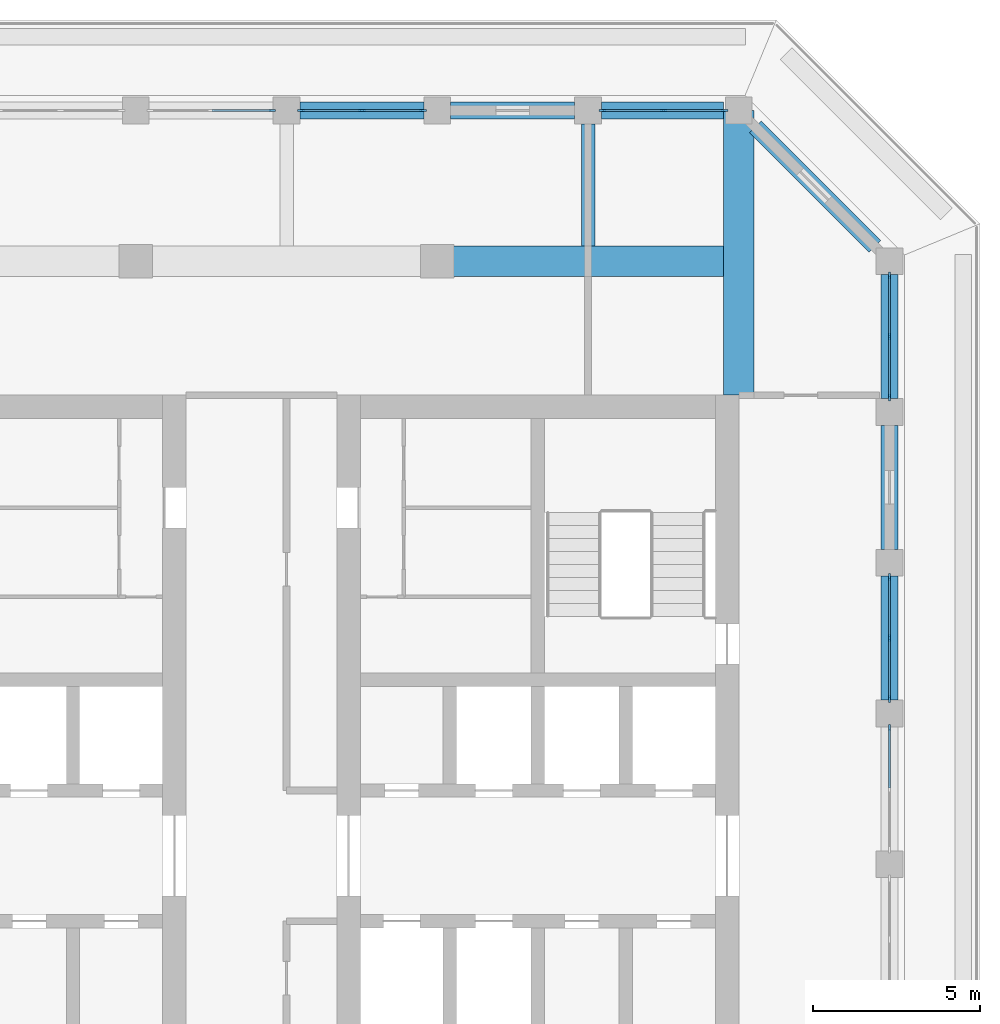
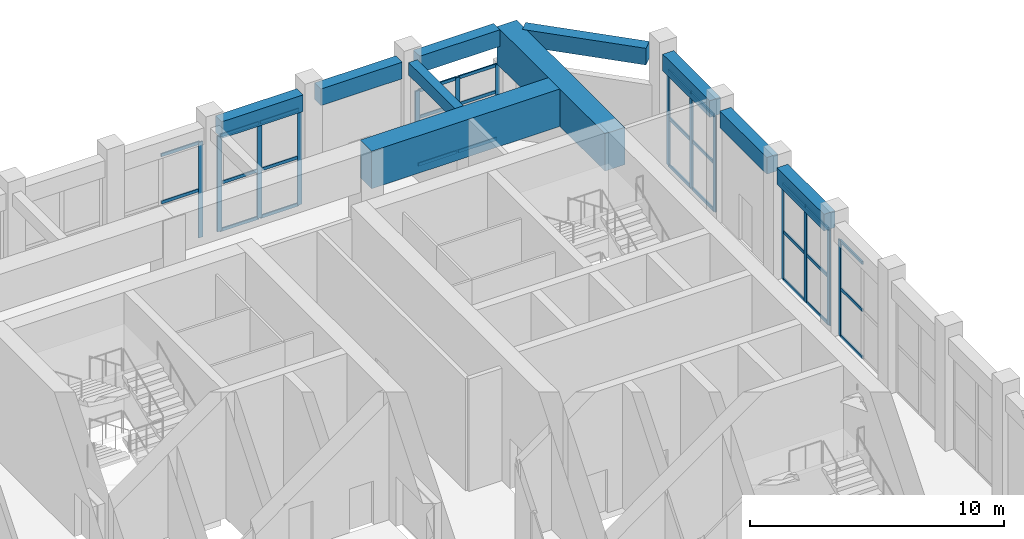
# One storey, part 6 of 20: 43 members, 10 beams, 6 elements without a shape of their own.
"""IFC4 building model written with IfcOpenShell, lengths in metres."""

from ifc_helpers import new_model, si_unit, direction, frame, origin, origin_2d, place, context, subcontext, project, spatial, rectangle, extrude, material, material_profile, profile_set, type_object, element, aggregate, save


model = new_model("IFC4")

# Units and contexts
model_context = context("Model", 3, precision=1e-05, world=origin(), true_north=direction((0.0, 1.0)))
body_context = subcontext(model_context, "Body", "Model", "MODEL_VIEW")
ifc_project = project(units=[si_unit("LENGTHUNIT", "METRE"), si_unit("AREAUNIT", "SQUARE_METRE"), si_unit("VOLUMEUNIT", "CUBIC_METRE"), si_unit("PLANEANGLEUNIT", "RADIAN"), si_unit("MASSUNIT", "GRAM", prefix="KILO")], contexts=[model_context])

# Site, building, storey
site_placement = place(None, origin())
site = spatial("IfcSite", under=ifc_project, at=site_placement, CompositionType="ELEMENT")
building_placement = place(site_placement, origin())
building = spatial("IfcBuilding", under=site, at=building_placement, Name="Corbel Stack Research Tower", CompositionType="ELEMENT")
storey_placement = place(building_placement, frame((0.0, 0.0, 295.0)))
storey = spatial("IfcBuildingStorey", under=building, at=storey_placement, Name="L67", CompositionType="ELEMENT", Elevation=295.0)

# Curtain wall, member
ifc_material_1 = material(Name="Aluminium frame, clear glass", Category="aluminium")
curtain_wall_type = type_object("IfcCurtainWallType", Name="Upper amenity floor curtain wall CW3", PredefinedType="NOTDEFINED", material=ifc_material_1)
curtain_wall_1_placement = place(storey_placement, origin())
curtain_wall_1 = element("IfcCurtainWall", 1, at=curtain_wall_1_placement, inside=storey, type_object=curtain_wall_type, Name="Curtain wall CW3 L67 E05", PredefinedType="NOTDEFINED")
ifc_material_2 = material(Name="Aluminium mullion", Category="aluminium")
ifc_material_profile_1 = material_profile(ifc_material_2, rectangle(XDim=0.06005859375, YDim=0.199951171875, at=origin_2d()), Name="Mullion 60 x 200")
ifc_profile_set_1 = profile_set([ifc_material_profile_1], Name="Aluminium mullion")
member_type_1 = type_object("IfcMemberType", Name="Curtain wall mullion 60 x 200", PredefinedType="MULLION", material=ifc_profile_set_1)
member_1_placement = place(storey_placement, frame((22.5, 8.570068359375, 0.0), z_axis=(0.0, 0.0, 1.0), x_axis=(-1.0, 0.0, 0.0)))
member_1 = element("IfcMember", 2, at=member_1_placement, type_object=member_type_1, Name="CW3 mullion 3", PredefinedType="MULLION", context=body_context, shape_type="SweptSolid", body=[
    extrude(rectangle(XDim=0.06005859375, YDim=0.199951171875, at=origin_2d()), origin(), (0.0, 0.0, 1.0), 4.60009765625),
])

# Curtain wall, members
curtain_wall_2_placement = place(storey_placement, origin())
curtain_wall_2 = element("IfcCurtainWall", 3, at=curtain_wall_2_placement, inside=storey, type_object=curtain_wall_type, Name="Curtain wall CW3 L67 E06", PredefinedType="NOTDEFINED")
member_2_placement = place(storey_placement, frame((22.5, 9.429931640625, 0.0), z_axis=(0.0, 0.0, 1.0), x_axis=(-1.0, 0.0, 0.0)))
member_2 = element("IfcMember", 4, at=member_2_placement, type_object=member_type_1, Name="CW3 mullion 1", PredefinedType="MULLION", context=body_context, shape_type="SweptSolid", body=[
    extrude(rectangle(XDim=0.06005859375, YDim=0.199951171875, at=origin_2d()), origin(), (0.0, 0.0, 1.0), 4.60009765625),
])
member_3_placement = place(storey_placement, frame((22.5, 11.25, 0.0), z_axis=(0.0, 0.0, 1.0), x_axis=(-1.0, 0.0, 0.0)))
member_3 = element("IfcMember", 5, at=member_3_placement, type_object=member_type_1, Name="CW3 mullion 2", PredefinedType="MULLION", context=body_context, shape_type="SweptSolid", body=[
    extrude(rectangle(XDim=0.06005859375, YDim=0.199951171875, at=origin_2d()), origin(), (0.0, 0.0, 1.0), 4.60009765625),
])
member_4_placement = place(storey_placement, frame((22.5, 13.070068359375, 0.0), z_axis=(0.0, 0.0, 1.0), x_axis=(-1.0, 0.0, 0.0)))
member_4 = element("IfcMember", 6, at=member_4_placement, type_object=member_type_1, Name="CW3 mullion 3", PredefinedType="MULLION", context=body_context, shape_type="SweptSolid", body=[
    extrude(rectangle(XDim=0.06005859375, YDim=0.199951171875, at=origin_2d()), origin(), (0.0, 0.0, 1.0), 4.60009765625),
])

curtain_wall_3_placement = place(storey_placement, origin())
curtain_wall_3 = element("IfcCurtainWall", 7, at=curtain_wall_3_placement, inside=storey, type_object=curtain_wall_type, Name="Curtain wall CW3 L67 E08", PredefinedType="NOTDEFINED")
member_5_placement = place(storey_placement, frame((22.5, 18.429931640625, 0.0), z_axis=(0.0, 0.0, 1.0), x_axis=(-1.0, 0.0, 0.0)))
member_5 = element("IfcMember", 8, at=member_5_placement, type_object=member_type_1, Name="CW3 mullion 1", PredefinedType="MULLION", context=body_context, shape_type="SweptSolid", body=[
    extrude(rectangle(XDim=0.06005859375, YDim=0.199951171875, at=origin_2d()), origin(), (0.0, 0.0, 1.0), 4.60009765625),
])
member_6_placement = place(storey_placement, frame((22.5, 20.25, 0.0), z_axis=(0.0, 0.0, 1.0), x_axis=(-1.0, 0.0, 0.0)))
member_6 = element("IfcMember", 9, at=member_6_placement, type_object=member_type_1, Name="CW3 mullion 2", PredefinedType="MULLION", context=body_context, shape_type="SweptSolid", body=[
    extrude(rectangle(XDim=0.06005859375, YDim=0.199951171875, at=origin_2d()), origin(), (0.0, 0.0, 1.0), 4.60009765625),
])
member_7_placement = place(storey_placement, frame((22.5, 22.070068359375, 0.0), z_axis=(0.0, 0.0, 1.0), x_axis=(-1.0, 0.0, 0.0)))
member_7 = element("IfcMember", 10, at=member_7_placement, type_object=member_type_1, Name="CW3 mullion 3", PredefinedType="MULLION", context=body_context, shape_type="SweptSolid", body=[
    extrude(rectangle(XDim=0.06005859375, YDim=0.199951171875, at=origin_2d()), origin(), (0.0, 0.0, 1.0), 4.60009765625),
])

curtain_wall_4_placement = place(storey_placement, origin())
curtain_wall_4 = element("IfcCurtainWall", 11, at=curtain_wall_4_placement, inside=storey, type_object=curtain_wall_type, Name="Curtain wall CW3 L67 N01", PredefinedType="NOTDEFINED")
member_8_placement = place(storey_placement, frame((17.570068359375, 27.0, 0.0), z_axis=(0.0, 0.0, 1.0), x_axis=(0.0, -1.0, 0.0)))
member_8 = element("IfcMember", 12, at=member_8_placement, type_object=member_type_1, Name="CW3 mullion 1", PredefinedType="MULLION", context=body_context, shape_type="SweptSolid", body=[
    extrude(rectangle(XDim=0.06005859375, YDim=0.199951171875, at=origin_2d()), origin(), (0.0, 0.0, 1.0), 3.60009765625),
])
member_9_placement = place(storey_placement, frame((15.75, 27.0, 0.0), z_axis=(0.0, 0.0, 1.0), x_axis=(0.0, -1.0, 0.0)))
member_9 = element("IfcMember", 13, at=member_9_placement, type_object=member_type_1, Name="CW3 mullion 2", PredefinedType="MULLION", context=body_context, shape_type="SweptSolid", body=[
    extrude(rectangle(XDim=0.06005859375, YDim=0.199951171875, at=origin_2d()), origin(), (0.0, 0.0, 1.0), 3.60009765625),
])
member_10_placement = place(storey_placement, frame((13.929931640625, 27.0, 0.0), z_axis=(0.0, 0.0, 1.0), x_axis=(0.0, -1.0, 0.0)))
member_10 = element("IfcMember", 14, at=member_10_placement, type_object=member_type_1, Name="CW3 mullion 3", PredefinedType="MULLION", context=body_context, shape_type="SweptSolid", body=[
    extrude(rectangle(XDim=0.06005859375, YDim=0.199951171875, at=origin_2d()), origin(), (0.0, 0.0, 1.0), 3.60009765625),
])

curtain_wall_5_placement = place(storey_placement, origin())
curtain_wall_5 = element("IfcCurtainWall", 15, at=curtain_wall_5_placement, inside=storey, type_object=curtain_wall_type, Name="Curtain wall CW3 L67 N03", PredefinedType="NOTDEFINED")
member_11_placement = place(storey_placement, frame((8.570068359375, 27.0, 0.0), z_axis=(0.0, 0.0, 1.0), x_axis=(0.0, -1.0, 0.0)))
member_11 = element("IfcMember", 16, at=member_11_placement, type_object=member_type_1, Name="CW3 mullion 1", PredefinedType="MULLION", context=body_context, shape_type="SweptSolid", body=[
    extrude(rectangle(XDim=0.06005859375, YDim=0.199951171875, at=origin_2d()), origin(), (0.0, 0.0, 1.0), 4.60009765625),
])
member_12_placement = place(storey_placement, frame((6.75, 27.0, 0.0), z_axis=(0.0, 0.0, 1.0), x_axis=(0.0, -1.0, 0.0)))
member_12 = element("IfcMember", 17, at=member_12_placement, type_object=member_type_1, Name="CW3 mullion 2", PredefinedType="MULLION", context=body_context, shape_type="SweptSolid", body=[
    extrude(rectangle(XDim=0.06005859375, YDim=0.199951171875, at=origin_2d()), origin(), (0.0, 0.0, 1.0), 4.60009765625),
])
member_13_placement = place(storey_placement, frame((4.929931640625, 27.0, 0.0), z_axis=(0.0, 0.0, 1.0), x_axis=(0.0, -1.0, 0.0)))
member_13 = element("IfcMember", 18, at=member_13_placement, type_object=member_type_1, Name="CW3 mullion 3", PredefinedType="MULLION", context=body_context, shape_type="SweptSolid", body=[
    extrude(rectangle(XDim=0.06005859375, YDim=0.199951171875, at=origin_2d()), origin(), (0.0, 0.0, 1.0), 4.60009765625),
])

# Curtain wall, member
curtain_wall_6_placement = place(storey_placement, origin())
curtain_wall_6 = element("IfcCurtainWall", 19, at=curtain_wall_6_placement, inside=storey, type_object=curtain_wall_type, Name="Curtain wall CW3 L67 N04", PredefinedType="NOTDEFINED")
member_14_placement = place(storey_placement, frame((4.070068359375, 27.0, 0.0), z_axis=(0.0, 0.0, 1.0), x_axis=(0.0, -1.0, 0.0)))
member_14 = element("IfcMember", 20, at=member_14_placement, type_object=member_type_1, Name="CW3 mullion 1", PredefinedType="MULLION", context=body_context, shape_type="SweptSolid", body=[
    extrude(rectangle(XDim=0.06005859375, YDim=0.199951171875, at=origin_2d()), origin(), (0.0, 0.0, 1.0), 4.60009765625),
])

# Member
ifc_material_3 = material(Name="Aluminium transom", Category="aluminium")
ifc_material_profile_2 = material_profile(ifc_material_3, rectangle(XDim=0.06005859375, YDim=0.14990234375, at=origin_2d()), Name="Transom 60 x 150")
ifc_profile_set_2 = profile_set([ifc_material_profile_2], Name="Aluminium transom")
member_type_2 = type_object("IfcMemberType", Name="Curtain wall transom 60 x 150", PredefinedType="USERDEFINED", material=ifc_profile_set_2)
member_15_placement = place(storey_placement, frame((22.5, 6.780029296875, 0.030029296875), z_axis=(0.0, 1.0, 0.0), x_axis=(-1.0, 0.0, 0.0)))
member_15 = element("IfcMember", 21, at=member_15_placement, type_object=member_type_2, Name="CW3 transom 2.1", ObjectType="TRANSOM", PredefinedType="USERDEFINED", context=body_context, shape_type="SweptSolid", body=[
    extrude(rectangle(XDim=0.06005859375, YDim=0.14990234375, at=origin_2d()), origin(), (0.0, 0.0, 1.0), 1.760009765625),
])

member_16_placement = place(storey_placement, frame((22.5, 6.780029296875, 2.300048828125), z_axis=(0.0, 1.0, 0.0), x_axis=(-1.0, 0.0, 0.0)))
member_16 = element("IfcMember", 22, at=member_16_placement, type_object=member_type_2, Name="CW3 transom 2.2", ObjectType="TRANSOM", PredefinedType="USERDEFINED", context=body_context, shape_type="SweptSolid", body=[
    extrude(rectangle(XDim=0.06005859375, YDim=0.14990234375, at=origin_2d()), origin(), (0.0, 0.0, 1.0), 1.760009765625),
])

member_17_placement = place(storey_placement, frame((22.5, 6.780029296875, 4.570068359375), z_axis=(0.0, 1.0, 0.0), x_axis=(-1.0, 0.0, 0.0)))
member_17 = element("IfcMember", 23, at=member_17_placement, type_object=member_type_2, Name="CW3 transom 2.3", ObjectType="TRANSOM", PredefinedType="USERDEFINED", context=body_context, shape_type="SweptSolid", body=[
    extrude(rectangle(XDim=0.06005859375, YDim=0.14990234375, at=origin_2d()), origin(), (0.0, 0.0, 1.0), 1.760009765625),
])

aggregate(curtain_wall_1, [member_1, member_15, member_16, member_17])

member_18_placement = place(storey_placement, frame((22.5, 9.4599609375, 0.030029296875), z_axis=(0.0, 1.0, 0.0), x_axis=(-1.0, 0.0, 0.0)))
member_18 = element("IfcMember", 24, at=member_18_placement, type_object=member_type_2, Name="CW3 transom 1.1", ObjectType="TRANSOM", PredefinedType="USERDEFINED", context=body_context, shape_type="SweptSolid", body=[
    extrude(rectangle(XDim=0.06005859375, YDim=0.14990234375, at=origin_2d()), origin(), (0.0, 0.0, 1.0), 1.760009765625),
])

member_19_placement = place(storey_placement, frame((22.5, 9.4599609375, 2.300048828125), z_axis=(0.0, 1.0, 0.0), x_axis=(-1.0, 0.0, 0.0)))
member_19 = element("IfcMember", 25, at=member_19_placement, type_object=member_type_2, Name="CW3 transom 1.2", ObjectType="TRANSOM", PredefinedType="USERDEFINED", context=body_context, shape_type="SweptSolid", body=[
    extrude(rectangle(XDim=0.06005859375, YDim=0.14990234375, at=origin_2d()), origin(), (0.0, 0.0, 1.0), 1.760009765625),
])

member_20_placement = place(storey_placement, frame((22.5, 9.4599609375, 4.570068359375), z_axis=(0.0, 1.0, 0.0), x_axis=(-1.0, 0.0, 0.0)))
member_20 = element("IfcMember", 26, at=member_20_placement, type_object=member_type_2, Name="CW3 transom 1.3", ObjectType="TRANSOM", PredefinedType="USERDEFINED", context=body_context, shape_type="SweptSolid", body=[
    extrude(rectangle(XDim=0.06005859375, YDim=0.14990234375, at=origin_2d()), origin(), (0.0, 0.0, 1.0), 1.760009765625),
])

member_21_placement = place(storey_placement, frame((22.5, 11.280029296875, 0.030029296875), z_axis=(0.0, 1.0, 0.0), x_axis=(-1.0, 0.0, 0.0)))
member_21 = element("IfcMember", 27, at=member_21_placement, type_object=member_type_2, Name="CW3 transom 2.1", ObjectType="TRANSOM", PredefinedType="USERDEFINED", context=body_context, shape_type="SweptSolid", body=[
    extrude(rectangle(XDim=0.06005859375, YDim=0.14990234375, at=origin_2d()), origin(), (0.0, 0.0, 1.0), 1.760009765625),
])

member_22_placement = place(storey_placement, frame((22.5, 11.280029296875, 2.300048828125), z_axis=(0.0, 1.0, 0.0), x_axis=(-1.0, 0.0, 0.0)))
member_22 = element("IfcMember", 28, at=member_22_placement, type_object=member_type_2, Name="CW3 transom 2.2", ObjectType="TRANSOM", PredefinedType="USERDEFINED", context=body_context, shape_type="SweptSolid", body=[
    extrude(rectangle(XDim=0.06005859375, YDim=0.14990234375, at=origin_2d()), origin(), (0.0, 0.0, 1.0), 1.760009765625),
])

member_23_placement = place(storey_placement, frame((22.5, 11.280029296875, 4.570068359375), z_axis=(0.0, 1.0, 0.0), x_axis=(-1.0, 0.0, 0.0)))
member_23 = element("IfcMember", 29, at=member_23_placement, type_object=member_type_2, Name="CW3 transom 2.3", ObjectType="TRANSOM", PredefinedType="USERDEFINED", context=body_context, shape_type="SweptSolid", body=[
    extrude(rectangle(XDim=0.06005859375, YDim=0.14990234375, at=origin_2d()), origin(), (0.0, 0.0, 1.0), 1.760009765625),
])

aggregate(curtain_wall_2, [member_2, member_3, member_4, member_18, member_19, member_20, member_21, member_22, member_23])

member_24_placement = place(storey_placement, frame((22.5, 18.4599609375, 0.030029296875), z_axis=(0.0, 1.0, 0.0), x_axis=(-1.0, 0.0, 0.0)))
member_24 = element("IfcMember", 30, at=member_24_placement, type_object=member_type_2, Name="CW3 transom 1.1", ObjectType="TRANSOM", PredefinedType="USERDEFINED", context=body_context, shape_type="SweptSolid", body=[
    extrude(rectangle(XDim=0.06005859375, YDim=0.14990234375, at=origin_2d()), origin(), (0.0, 0.0, 1.0), 1.760009765625),
])

member_25_placement = place(storey_placement, frame((22.5, 18.4599609375, 2.300048828125), z_axis=(0.0, 1.0, 0.0), x_axis=(-1.0, 0.0, 0.0)))
member_25 = element("IfcMember", 31, at=member_25_placement, type_object=member_type_2, Name="CW3 transom 1.2", ObjectType="TRANSOM", PredefinedType="USERDEFINED", context=body_context, shape_type="SweptSolid", body=[
    extrude(rectangle(XDim=0.06005859375, YDim=0.14990234375, at=origin_2d()), origin(), (0.0, 0.0, 1.0), 1.760009765625),
])

member_26_placement = place(storey_placement, frame((22.5, 18.4599609375, 4.570068359375), z_axis=(0.0, 1.0, 0.0), x_axis=(-1.0, 0.0, 0.0)))
member_26 = element("IfcMember", 32, at=member_26_placement, type_object=member_type_2, Name="CW3 transom 1.3", ObjectType="TRANSOM", PredefinedType="USERDEFINED", context=body_context, shape_type="SweptSolid", body=[
    extrude(rectangle(XDim=0.06005859375, YDim=0.14990234375, at=origin_2d()), origin(), (0.0, 0.0, 1.0), 1.760009765625),
])

member_27_placement = place(storey_placement, frame((22.5, 20.280029296875, 0.030029296875), z_axis=(0.0, 1.0, 0.0), x_axis=(-1.0, 0.0, 0.0)))
member_27 = element("IfcMember", 33, at=member_27_placement, type_object=member_type_2, Name="CW3 transom 2.1", ObjectType="TRANSOM", PredefinedType="USERDEFINED", context=body_context, shape_type="SweptSolid", body=[
    extrude(rectangle(XDim=0.06005859375, YDim=0.14990234375, at=origin_2d()), origin(), (0.0, 0.0, 1.0), 1.760009765625),
])

member_28_placement = place(storey_placement, frame((22.5, 20.280029296875, 2.300048828125), z_axis=(0.0, 1.0, 0.0), x_axis=(-1.0, 0.0, 0.0)))
member_28 = element("IfcMember", 34, at=member_28_placement, type_object=member_type_2, Name="CW3 transom 2.2", ObjectType="TRANSOM", PredefinedType="USERDEFINED", context=body_context, shape_type="SweptSolid", body=[
    extrude(rectangle(XDim=0.06005859375, YDim=0.14990234375, at=origin_2d()), origin(), (0.0, 0.0, 1.0), 1.760009765625),
])

member_29_placement = place(storey_placement, frame((22.5, 20.280029296875, 4.570068359375), z_axis=(0.0, 1.0, 0.0), x_axis=(-1.0, 0.0, 0.0)))
member_29 = element("IfcMember", 35, at=member_29_placement, type_object=member_type_2, Name="CW3 transom 2.3", ObjectType="TRANSOM", PredefinedType="USERDEFINED", context=body_context, shape_type="SweptSolid", body=[
    extrude(rectangle(XDim=0.06005859375, YDim=0.14990234375, at=origin_2d()), origin(), (0.0, 0.0, 1.0), 1.760009765625),
])

aggregate(curtain_wall_3, [member_5, member_6, member_7, member_24, member_25, member_26, member_27, member_28, member_29])

member_30_placement = place(storey_placement, frame((17.5400390625, 27.0, 0.030029296875), z_axis=(-1.0, 0.0, 0.0), x_axis=(0.0, -1.0, 0.0)))
member_30 = element("IfcMember", 36, at=member_30_placement, type_object=member_type_2, Name="CW3 transom 1.1", ObjectType="TRANSOM", PredefinedType="USERDEFINED", context=body_context, shape_type="SweptSolid", body=[
    extrude(rectangle(XDim=0.06005859375, YDim=0.14990234375, at=origin_2d()), origin(), (0.0, 0.0, 1.0), 1.760009765625),
])

member_31_placement = place(storey_placement, frame((17.5400390625, 27.0, 2.300048828125), z_axis=(-1.0, 0.0, 0.0), x_axis=(0.0, -1.0, 0.0)))
member_31 = element("IfcMember", 37, at=member_31_placement, type_object=member_type_2, Name="CW3 transom 1.2", ObjectType="TRANSOM", PredefinedType="USERDEFINED", context=body_context, shape_type="SweptSolid", body=[
    extrude(rectangle(XDim=0.06005859375, YDim=0.14990234375, at=origin_2d()), origin(), (0.0, 0.0, 1.0), 1.760009765625),
])

member_32_placement = place(storey_placement, frame((17.5400390625, 27.0, 3.570068359375), z_axis=(-1.0, 0.0, 0.0), x_axis=(0.0, -1.0, 0.0)))
member_32 = element("IfcMember", 38, at=member_32_placement, type_object=member_type_2, Name="CW3 transom 1.3", ObjectType="TRANSOM", PredefinedType="USERDEFINED", context=body_context, shape_type="SweptSolid", body=[
    extrude(rectangle(XDim=0.06005859375, YDim=0.14990234375, at=origin_2d()), origin(), (0.0, 0.0, 1.0), 1.760009765625),
])

member_33_placement = place(storey_placement, frame((15.719970703125, 27.0, 0.030029296875), z_axis=(-1.0, 0.0, 0.0), x_axis=(0.0, -1.0, 0.0)))
member_33 = element("IfcMember", 39, at=member_33_placement, type_object=member_type_2, Name="CW3 transom 2.1", ObjectType="TRANSOM", PredefinedType="USERDEFINED", context=body_context, shape_type="SweptSolid", body=[
    extrude(rectangle(XDim=0.06005859375, YDim=0.14990234375, at=origin_2d()), origin(), (0.0, 0.0, 1.0), 1.760009765625),
])

member_34_placement = place(storey_placement, frame((15.719970703125, 27.0, 2.300048828125), z_axis=(-1.0, 0.0, 0.0), x_axis=(0.0, -1.0, 0.0)))
member_34 = element("IfcMember", 40, at=member_34_placement, type_object=member_type_2, Name="CW3 transom 2.2", ObjectType="TRANSOM", PredefinedType="USERDEFINED", context=body_context, shape_type="SweptSolid", body=[
    extrude(rectangle(XDim=0.06005859375, YDim=0.14990234375, at=origin_2d()), origin(), (0.0, 0.0, 1.0), 1.760009765625),
])

member_35_placement = place(storey_placement, frame((15.719970703125, 27.0, 3.570068359375), z_axis=(-1.0, 0.0, 0.0), x_axis=(0.0, -1.0, 0.0)))
member_35 = element("IfcMember", 41, at=member_35_placement, type_object=member_type_2, Name="CW3 transom 2.3", ObjectType="TRANSOM", PredefinedType="USERDEFINED", context=body_context, shape_type="SweptSolid", body=[
    extrude(rectangle(XDim=0.06005859375, YDim=0.14990234375, at=origin_2d()), origin(), (0.0, 0.0, 1.0), 1.760009765625),
])

aggregate(curtain_wall_4, [member_8, member_9, member_10, member_30, member_31, member_32, member_33, member_34, member_35])

member_36_placement = place(storey_placement, frame((8.5400390625, 27.0, 0.030029296875), z_axis=(-1.0, 0.0, 0.0), x_axis=(0.0, -1.0, 0.0)))
member_36 = element("IfcMember", 42, at=member_36_placement, type_object=member_type_2, Name="CW3 transom 1.1", ObjectType="TRANSOM", PredefinedType="USERDEFINED", context=body_context, shape_type="SweptSolid", body=[
    extrude(rectangle(XDim=0.06005859375, YDim=0.14990234375, at=origin_2d()), origin(), (0.0, 0.0, 1.0), 1.760009765625),
])

member_37_placement = place(storey_placement, frame((8.5400390625, 27.0, 2.300048828125), z_axis=(-1.0, 0.0, 0.0), x_axis=(0.0, -1.0, 0.0)))
member_37 = element("IfcMember", 43, at=member_37_placement, type_object=member_type_2, Name="CW3 transom 1.2", ObjectType="TRANSOM", PredefinedType="USERDEFINED", context=body_context, shape_type="SweptSolid", body=[
    extrude(rectangle(XDim=0.06005859375, YDim=0.14990234375, at=origin_2d()), origin(), (0.0, 0.0, 1.0), 1.760009765625),
])

member_38_placement = place(storey_placement, frame((8.5400390625, 27.0, 4.570068359375), z_axis=(-1.0, 0.0, 0.0), x_axis=(0.0, -1.0, 0.0)))
member_38 = element("IfcMember", 44, at=member_38_placement, type_object=member_type_2, Name="CW3 transom 1.3", ObjectType="TRANSOM", PredefinedType="USERDEFINED", context=body_context, shape_type="SweptSolid", body=[
    extrude(rectangle(XDim=0.06005859375, YDim=0.14990234375, at=origin_2d()), origin(), (0.0, 0.0, 1.0), 1.760009765625),
])

member_39_placement = place(storey_placement, frame((6.719970703125, 27.0, 0.030029296875), z_axis=(-1.0, 0.0, 0.0), x_axis=(0.0, -1.0, 0.0)))
member_39 = element("IfcMember", 45, at=member_39_placement, type_object=member_type_2, Name="CW3 transom 2.1", ObjectType="TRANSOM", PredefinedType="USERDEFINED", context=body_context, shape_type="SweptSolid", body=[
    extrude(rectangle(XDim=0.06005859375, YDim=0.14990234375, at=origin_2d()), origin(), (0.0, 0.0, 1.0), 1.760009765625),
])

member_40_placement = place(storey_placement, frame((6.719970703125, 27.0, 2.300048828125), z_axis=(-1.0, 0.0, 0.0), x_axis=(0.0, -1.0, 0.0)))
member_40 = element("IfcMember", 46, at=member_40_placement, type_object=member_type_2, Name="CW3 transom 2.2", ObjectType="TRANSOM", PredefinedType="USERDEFINED", context=body_context, shape_type="SweptSolid", body=[
    extrude(rectangle(XDim=0.06005859375, YDim=0.14990234375, at=origin_2d()), origin(), (0.0, 0.0, 1.0), 1.760009765625),
])

member_41_placement = place(storey_placement, frame((6.719970703125, 27.0, 4.570068359375), z_axis=(-1.0, 0.0, 0.0), x_axis=(0.0, -1.0, 0.0)))
member_41 = element("IfcMember", 47, at=member_41_placement, type_object=member_type_2, Name="CW3 transom 2.3", ObjectType="TRANSOM", PredefinedType="USERDEFINED", context=body_context, shape_type="SweptSolid", body=[
    extrude(rectangle(XDim=0.06005859375, YDim=0.14990234375, at=origin_2d()), origin(), (0.0, 0.0, 1.0), 1.760009765625),
])

aggregate(curtain_wall_5, [member_11, member_12, member_13, member_36, member_37, member_38, member_39, member_40, member_41])

member_42_placement = place(storey_placement, frame((4.0400390625, 27.0, 2.300048828125), z_axis=(-1.0, 0.0, 0.0), x_axis=(0.0, -1.0, 0.0)))
member_42 = element("IfcMember", 48, at=member_42_placement, type_object=member_type_2, Name="CW3 transom 1.2", ObjectType="TRANSOM", PredefinedType="USERDEFINED", context=body_context, shape_type="SweptSolid", body=[
    extrude(rectangle(XDim=0.06005859375, YDim=0.14990234375, at=origin_2d()), origin(), (0.0, 0.0, 1.0), 1.760009765625),
])

member_43_placement = place(storey_placement, frame((4.0400390625, 27.0, 4.570068359375), z_axis=(-1.0, 0.0, 0.0), x_axis=(0.0, -1.0, 0.0)))
member_43 = element("IfcMember", 49, at=member_43_placement, type_object=member_type_2, Name="CW3 transom 1.3", ObjectType="TRANSOM", PredefinedType="USERDEFINED", context=body_context, shape_type="SweptSolid", body=[
    extrude(rectangle(XDim=0.06005859375, YDim=0.14990234375, at=origin_2d()), origin(), (0.0, 0.0, 1.0), 1.760009765625),
])

aggregate(curtain_wall_6, [member_14, member_42, member_43])

# Beams
ifc_material_4 = material(Name="Concrete C60/75", Category="concrete")
ifc_material_profile_3 = material_profile(ifc_material_4, rectangle(XDim=0.5, YDim=0.800048828125, at=origin_2d()), Name="RC 500 x 800")
ifc_profile_set_3 = profile_set([ifc_material_profile_3], Name="Concrete C60/75")
beam_type_1 = type_object("IfcBeamType", Name="SB-500-800-600", PredefinedType="SPANDREL", material=ifc_profile_set_3)
for number, where, z_axis, x_axis, name in (
    (50, (22.5, 9.39990234375, 5.0), (0.0, 1.0, 0.0), (-1.0, 0.0, 0.0), "Spandrel beam L67-15"),
    (51, (22.5, 13.89990234375, 5.0), (0.0, 1.0, 0.0), (-1.0, 0.0, 0.0), "Spandrel beam L67-16"),
    (52, (22.5, 18.39990234375, 5.0), (0.0, 1.0, 0.0), (-1.0, 0.0, 0.0), "Spandrel beam L67-17"),
):
    element("IfcBeam", number, at=place(storey_placement, frame(where, z_axis=z_axis, x_axis=x_axis)), inside=storey, type_object=beam_type_1, Name=name, PredefinedType="SPANDREL", context=body_context, shape_type="SweptSolid", body=[
        extrude(rectangle(XDim=0.5, YDim=0.800048828125, at=origin_2d()), origin(), (0.0, 0.0, 1.0), 3.7001953125),
    ])
beam_1_placement = place(storey_placement, frame((22.0576171875, 22.9423828125, 5.0), z_axis=(-0.707106781187, 0.707106781187, 0.0), x_axis=(-0.707106781187, -0.707106781187, 0.0)))
element("IfcBeam", 53, at=beam_1_placement, inside=storey, type_object=beam_type_1, Name="Spandrel beam L67-18", PredefinedType="SPANDREL", context=body_context, shape_type="SweptSolid", body=[
    extrude(rectangle(XDim=0.5, YDim=0.800048828125, at=origin_2d()), origin(), (0.0, 0.0, 1.0), 5.0419921875),
])
beam_2_placement = place(storey_placement, frame((17.550048828125, 27.0, 5.0), z_axis=(-1.0, 0.0, 0.0), x_axis=(0.0, -1.0, 0.0)))
element("IfcBeam", 54, at=beam_2_placement, inside=storey, type_object=beam_type_1, Name="Spandrel beam L67-19", PredefinedType="SPANDREL", context=body_context, shape_type="SweptSolid", body=[
    extrude(rectangle(XDim=0.5, YDim=0.800048828125, at=origin_2d()), origin(), (0.0, 0.0, 1.0), 3.650146484375),
])
for number, where, z_axis, x_axis, name in (
    (55, (13.10009765625, 27.0, 5.0), (-1.0, 0.0, 0.0), (0.0, -1.0, 0.0), "Spandrel beam L67-20"),
    (56, (8.60009765625, 27.0, 5.0), (-1.0, 0.0, 0.0), (0.0, -1.0, 0.0), "Spandrel beam L67-21"),
):
    element("IfcBeam", number, at=place(storey_placement, frame(where, z_axis=z_axis, x_axis=x_axis)), inside=storey, type_object=beam_type_1, Name=name, PredefinedType="SPANDREL", context=body_context, shape_type="SweptSolid", body=[
        extrude(rectangle(XDim=0.5, YDim=0.800048828125, at=origin_2d()), origin(), (0.0, 0.0, 1.0), 3.7001953125),
    ])
ifc_material_5 = material(Name="Concrete C60/75", Category="concrete")
ifc_material_profile_4 = material_profile(ifc_material_5, rectangle(XDim=0.39990234375, YDim=0.60009765625, at=origin_2d()), Name="RC 400 x 600")
ifc_profile_set_4 = profile_set([ifc_material_profile_4], Name="Concrete C60/75")
beam_type_2 = type_object("IfcBeamType", Name="TG-400-600", PredefinedType="BEAM", material=ifc_profile_set_4)
beam_3_placement = place(storey_placement, frame((13.5, 22.949951171875, 5.10009765625), z_axis=(0.0, 1.0, 0.0), x_axis=(-1.0, 0.0, 0.0)))
element("IfcBeam", 57, at=beam_3_placement, inside=storey, type_object=beam_type_2, Name="Transfer tie beam L67 t11N", PredefinedType="BEAM", context=body_context, shape_type="SweptSolid", body=[
    extrude(rectangle(XDim=0.39990234375, YDim=0.60009765625, at=origin_2d()), origin(), (0.0, 0.0, 1.0), 3.650146484375),
])
ifc_material_6 = material(Name="Concrete C60/75", Category="concrete")
ifc_material_profile_5 = material_profile(ifc_material_6, rectangle(XDim=0.89990234375, YDim=1.800048828125, at=origin_2d()), Name="RC 900 x 1800")
ifc_profile_set_5 = profile_set([ifc_material_profile_5], Name="Concrete C60/75")
beam_type_3 = type_object("IfcBeamType", Name="TG-900-1800", PredefinedType="BEAM", material=ifc_profile_set_5)
beam_4_placement = place(storey_placement, frame((18.0, 27.0, 4.5), z_axis=(0.0, -1.0, 0.0), x_axis=(1.0, 0.0, 0.0)))
element("IfcBeam", 58, at=beam_4_placement, inside=storey, type_object=beam_type_3, Name="Transfer cross girder L67 Nx18", PredefinedType="BEAM", context=body_context, shape_type="SweptSolid", body=[
    extrude(rectangle(XDim=0.89990234375, YDim=1.800048828125, at=origin_2d()), origin(), (0.0, 0.0, 1.0), 8.5),
])
beam_5_placement = place(storey_placement, frame((9.0, 22.5, 4.5), z_axis=(1.0, 0.0, 0.0), x_axis=(0.0, 1.0, 0.0)))
element("IfcBeam", 59, at=beam_5_placement, inside=storey, type_object=beam_type_3, Name="Transfer girder along the step L67 Nl9", PredefinedType="BEAM", context=body_context, shape_type="SweptSolid", body=[
    extrude(rectangle(XDim=0.89990234375, YDim=1.800048828125, at=origin_2d()), origin(), (0.0, 0.0, 1.0), 8.550048828125),
])

save(model, "model.ifc")
